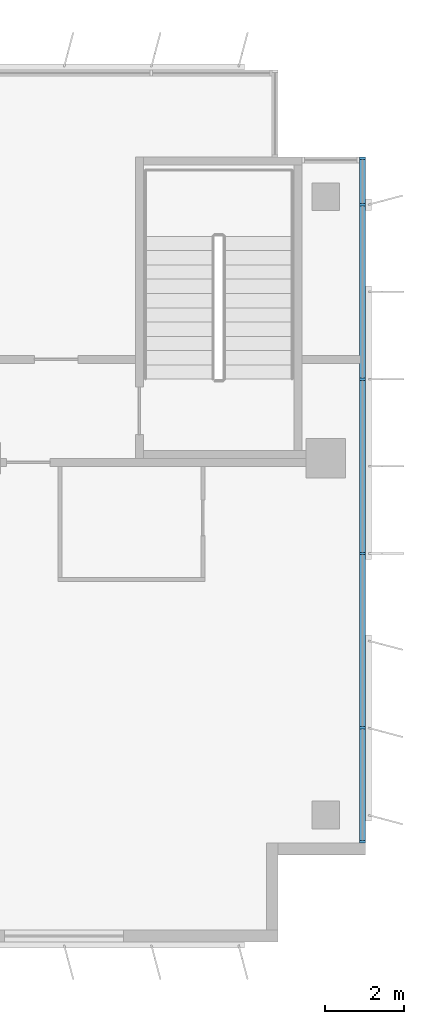
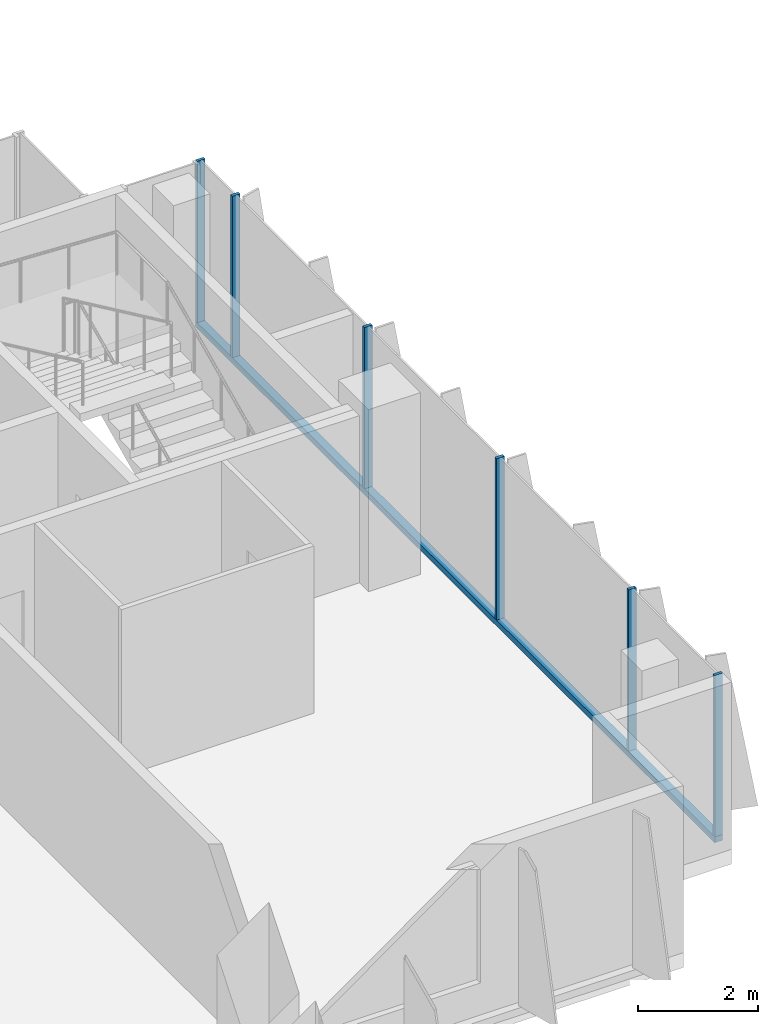
# One storey, part 8 of 21: 7 members, 1 element without a shape of its own.
"""IFC4 building model written with IfcOpenShell, lengths in metres."""

import ifcopenshell
import ifcopenshell.guid

model = None  # the IFC model being written
_history = None  # IfcOwnerHistory: only IFC2X3 demands one
_inside = {}  # id of a spatial element -> (the spatial element, [elements in it])
_under = {}  # id of a project, library or spatial element -> (it, [spatial elements below it])
_declared = {}  # id of a project -> (the project, [libraries it declares])
_typed = {}  # id of a type object -> (the type object, [elements of that type])
_made_of = {}  # id of a material, layer set ... -> (it, [elements and type objects made of it])


def new_model(schema):
    """Start an empty IFC model of exactly this schema.

    Asked for "IFC4X3", IfcOpenShell would pick the latest addendum, in which some entities
    have other attributes; the version numbers below select the first issue.
    IFC2X3 requires an IfcOwnerHistory on every rooted entity: one is made here for all.
    """
    global model, _history
    if schema == "IFC4X3":
        model = ifcopenshell.file(schema_version=(4, 3, 0, 0))
    else:
        model = ifcopenshell.file(schema=schema)
    _inside.clear()
    _under.clear()
    _declared.clear()
    _typed.clear()
    _made_of.clear()
    _history = None
    if model.schema == "IFC2X3":
        org = make("IfcOrganization", Name="unknown")
        user = make(
            "IfcPersonAndOrganization",
            ThePerson=make("IfcPerson", FamilyName="unknown"),
            TheOrganization=org,
        )
        app = make(
            "IfcApplication",
            ApplicationDeveloper=org,
            Version="unknown",
            ApplicationFullName="unknown",
            ApplicationIdentifier="unknown",
        )
        _history = make(
            "IfcOwnerHistory",
            OwningUser=user,
            OwningApplication=app,
            ChangeAction="ADDED",
            CreationDate=0,
        )
    return model


def make(cls, **values):
    """One entity of the class cls with the attributes given. An attribute that is None is left unset."""
    return model.create_entity(
        cls, **{name: value for name, value in values.items() if value is not None}
    )


def rooted(cls, **values):
    """An entity with a GlobalId (a new one), such as an element, a storey or a relation."""
    return make(cls, GlobalId=ifcopenshell.guid.new(), OwnerHistory=_history, **values)


def si_unit(unit_type, name, prefix=None):
    """IfcSIUnit, for example si_unit("LENGTHUNIT", "METRE", prefix="MILLI")."""
    return make("IfcSIUnit", UnitType=unit_type, Prefix=prefix, Name=name)


def assignment(units):
    """IfcUnitAssignment: the units of a project."""
    return None if units is None else make("IfcUnitAssignment", Units=units)


def point(xyz):
    """IfcCartesianPoint."""
    return None if xyz is None else make("IfcCartesianPoint", Coordinates=xyz)


def direction(xyz):
    """IfcDirection."""
    return None if xyz is None else make("IfcDirection", DirectionRatios=xyz)


def frame(location, z_axis=None, x_axis=None):
    """IfcAxis2Placement3D, a coordinate frame: its origin and axes. An axis left out is left unset."""
    return make(
        "IfcAxis2Placement3D",
        Location=point(location),
        Axis=direction(z_axis),
        RefDirection=direction(x_axis),
    )


def frame_2d(location, x_axis=None):
    """IfcAxis2Placement2D, a coordinate frame in the plane: its origin and x axis."""
    return make(
        "IfcAxis2Placement2D", Location=point(location), RefDirection=direction(x_axis)
    )


def origin():
    """The frame at (0, 0, 0) with its axes left unset."""
    return frame((0.0, 0.0, 0.0))


def origin_2d():
    """The frame at (0, 0) in the plane with its x axis left unset."""
    return frame_2d((0.0, 0.0))


def place(relative_to, where):
    """IfcLocalPlacement: puts the frame where relative to a parent placement (None: the world)."""
    return make(
        "IfcLocalPlacement", PlacementRelTo=relative_to, RelativePlacement=where
    )


def context(
    kind, dimensions, precision=None, world=None, true_north=None, identifier=None
):
    """IfcGeometricRepresentationContext, for example the 3D "Model" context."""
    return make(
        "IfcGeometricRepresentationContext",
        ContextIdentifier=identifier,
        ContextType=kind,
        CoordinateSpaceDimension=dimensions,
        Precision=precision,
        WorldCoordinateSystem=world,
        TrueNorth=true_north,
    )


def subcontext(parent, identifier, kind, view, scale=None):
    """IfcGeometricRepresentationSubContext, for example "Body" below "Model"."""
    return make(
        "IfcGeometricRepresentationSubContext",
        ContextIdentifier=identifier,
        ContextType=kind,
        ParentContext=parent,
        TargetScale=scale,
        TargetView=view,
    )


def project(units=None, contexts=None):
    """IfcProject with its units and contexts."""
    return rooted(
        "IfcProject",
        Name="project",
        RepresentationContexts=contexts,
        UnitsInContext=assignment(units),
    )


def spatial(cls, under=None, at=None, **own):
    """A site, building, storey or space (cls), placed at a placement, below another one or the project."""
    s = rooted(cls, ObjectPlacement=at, **own)
    if under is not None:
        _under.setdefault(under.id(), (under, []))[1].append(s)
    return s


def profile(cls, at=None, kind="AREA", **sizes):
    """A parametric profile (cls). Its sizes go by their IFC names, for example OverallWidth=200.0."""
    return make(cls, ProfileType=kind, Position=at, **sizes)


def rectangle(**sizes):
    """IfcRectangleProfileDef."""
    return profile("IfcRectangleProfileDef", **sizes)


def extrude(swept, where, along, depth):
    """IfcExtrudedAreaSolid: the profile swept, set in the frame where, extruded along a direction by depth."""
    return make(
        "IfcExtrudedAreaSolid",
        SweptArea=swept,
        Position=where,
        ExtrudedDirection=direction(along),
        Depth=depth,
    )


def shape(context_of_items, identifier, shape_type, items):
    """IfcShapeRepresentation: the items that make up one representation, for example the "Body"."""
    return make(
        "IfcShapeRepresentation",
        ContextOfItems=context_of_items,
        RepresentationIdentifier=identifier,
        RepresentationType=shape_type,
        Items=items,
    )


def source(mapping_origin, context_of_items, identifier, shape_type, items):
    """IfcRepresentationMap: a shape defined once, which mapped items show again and again."""
    return make(
        "IfcRepresentationMap",
        MappingOrigin=mapping_origin,
        MappedRepresentation=shape(context_of_items, identifier, shape_type, items),
    )


def transform(
    local_origin,
    x_axis=None,
    y_axis=None,
    z_axis=None,
    scale=None,
    scale2=None,
    scale3=None,
    uniform=True,
):
    """IfcCartesianTransformationOperator3D, or its non-uniform kind. x_axis, y_axis, z_axis: its Axis1, 2, 3."""
    if uniform:
        return make(
            "IfcCartesianTransformationOperator3D",
            Axis1=direction(x_axis),
            Axis2=direction(y_axis),
            LocalOrigin=point(local_origin),
            Scale=scale,
            Axis3=direction(z_axis),
        )
    return make(
        "IfcCartesianTransformationOperator3DnonUniform",
        Axis1=direction(x_axis),
        Axis2=direction(y_axis),
        LocalOrigin=point(local_origin),
        Scale=scale,
        Axis3=direction(z_axis),
        Scale2=scale2,
        Scale3=scale3,
    )


def mapped(mapping_source, mapping_target):
    """IfcMappedItem: shows the shape of a source again, moved by a transform."""
    return make(
        "IfcMappedItem", MappingSource=mapping_source, MappingTarget=mapping_target
    )


def material(Name=None, Category=None):
    """IfcMaterial."""
    return make("IfcMaterial", Name=Name, Category=Category)


def material_profile(
    of_material, cross_section, Name=None, Category=None, Priority=None
):
    """IfcMaterialProfile: a cross section and its material."""
    return make(
        "IfcMaterialProfile",
        Name=Name,
        Material=of_material,
        Profile=cross_section,
        Priority=Priority,
        Category=Category,
    )


def profile_set(profiles, Name=None, composite=None):
    """IfcMaterialProfileSet."""
    return make(
        "IfcMaterialProfileSet",
        Name=Name,
        MaterialProfiles=profiles,
        CompositeProfile=composite,
    )


def made_of(thing, what):
    """Note that an element or type object is made of a material, layer set ...; save() writes the relation."""
    if what is not None:
        _made_of.setdefault(what.id(), (what, []))[1].append(thing)
    return thing


def type_object(cls, material=None, **own):
    """A type object (cls), such as IfcWallType, which elements share."""
    return made_of(rooted(cls, **own), material)


def element(
    cls,
    number,
    at=None,
    inside=None,
    cuts=None,
    type_object=None,
    material=None,
    context=None,
    identifier="Body",
    shape_type=None,
    held_by="IfcProductDefinitionShape",
    body=None,
    shapes=None,
    **own,
):
    """One element of the class cls, such as IfcWall. Its Tag is "e" and its number.

    at: its placement. inside: the storey or other place that contains it. cuts: it is an
    opening in that element (IfcRelVoidsElement). A single representation is given by context,
    identifier, shape_type and body (its items); several are given by shapes. held_by: the class
    of the entity that holds the representations. save() writes the other relations.
    """
    e = rooted(cls, Tag="e%d" % number, ObjectPlacement=at, **own)
    if body is not None:
        shapes = [shape(context, identifier, shape_type, body)]
    if shapes is not None:
        e.Representation = make(held_by, Representations=shapes)
    if inside is not None:
        _inside.setdefault(inside.id(), (inside, []))[1].append(e)
    if cuts is not None:
        rooted(
            "IfcRelVoidsElement", RelatingBuildingElement=cuts, RelatedOpeningElement=e
        )
    if type_object is not None:
        _typed.setdefault(type_object.id(), (type_object, []))[1].append(e)
    return made_of(e, material)


def aggregate(whole, parts):
    """IfcRelAggregates: a whole, such as a stair, and the parts it consists of."""
    return rooted("IfcRelAggregates", RelatingObject=whole, RelatedObjects=parts)


def save(model, path):
    """Write the relations noted so far, then the file.

    IfcRelAggregates (storeys below a building ...), IfcRelContainedInSpatialStructure (elements
    in a storey), IfcRelDefinesByType, IfcRelAssociatesMaterial and IfcRelDeclares: one each for
    every whole, place, type object, material and project.
    """
    for whole, parts in _under.values():
        aggregate(whole, parts)
    for where, things in _inside.values():
        rooted(
            "IfcRelContainedInSpatialStructure",
            RelatedElements=things,
            RelatingStructure=where,
        )
    for kind, things in _typed.values():
        rooted("IfcRelDefinesByType", RelatedObjects=things, RelatingType=kind)
    for what, things in _made_of.values():
        rooted("IfcRelAssociatesMaterial", RelatedObjects=things, RelatingMaterial=what)
    for by, libraries in _declared.values():
        rooted("IfcRelDeclares", RelatingContext=by, RelatedDefinitions=libraries)
    model.write(path)


model = new_model("IFC4")

# Units and contexts
model_context = context("Model", 3, precision=1e-05, world=origin(), true_north=direction((0.0, 1.0)))
body_context = subcontext(model_context, "Body", "Model", "MODEL_VIEW")
ifc_project = project(units=[si_unit("LENGTHUNIT", "METRE"), si_unit("AREAUNIT", "SQUARE_METRE"), si_unit("VOLUMEUNIT", "CUBIC_METRE"), si_unit("PLANEANGLEUNIT", "RADIAN"), si_unit("MASSUNIT", "GRAM", prefix="KILO")], contexts=[model_context])

# Site, building, storey
site_placement = place(None, origin())
site = spatial("IfcSite", under=ifc_project, at=site_placement, CompositionType="ELEMENT")
building_placement = place(site_placement, origin())
building = spatial("IfcBuilding", under=site, at=building_placement, Name="Kemantara Hotel Tower", CompositionType="ELEMENT")
storey_placement = place(building_placement, frame((0.0, 0.0, 156.800048828125)))
storey = spatial("IfcBuildingStorey", under=building, at=storey_placement, Name="L38", CompositionType="ELEMENT", Elevation=156.800048828125)

# Curtain wall, members
ifc_material_1 = material(Name="Low-E tinted double insulated glass 36 mm", Category="glass")
curtain_wall_type = type_object("IfcCurtainWallType", Name="TOWER CURTAIN WALL, FRONT FACES", PredefinedType="USERDEFINED", material=ifc_material_1)
curtain_wall_placement = place(storey_placement, origin())
curtain_wall = element("IfcCurtainWall", 1, at=curtain_wall_placement, inside=storey, type_object=curtain_wall_type, Name="CW4 L38 T3-R11-1", ObjectType="TOWER CURTAIN WALL, FRONT FACES", PredefinedType="USERDEFINED")
ifc_material_2 = material(Name="Aluminium 6063-T6 bronze anodised", Category="aluminium")
ifc_material_profile_1 = material_profile(ifc_material_2, rectangle(XDim=0.14990234375, YDim=0.1201171875, at=origin_2d()), Name="TOWER CURTAIN WALL, FRONT FACES TRANSOM")
ifc_profile_set_1 = profile_set([ifc_material_profile_1], Name="Aluminium 6063-T6 bronze anodised")
member_type_1 = type_object("IfcMemberType", Name="TOWER CURTAIN WALL, FRONT FACES TRANSOM", PredefinedType="USERDEFINED", material=ifc_profile_set_1)
member_1_placement = place(storey_placement, frame((63.52490234375, 2.5, 0.06005859375), z_axis=(0.0, 1.0, 0.0), x_axis=(-1.0, 0.0, 0.0)))
member_1 = element("IfcMember", 2, at=member_1_placement, type_object=member_type_1, Name="CW4 sill transom T3-R11-1", ObjectType="TRANSOM", PredefinedType="USERDEFINED", context=body_context, shape_type="SweptSolid", body=[
    extrude(rectangle(XDim=0.14990234375, YDim=0.1201171875, at=origin_2d()), origin(), (0.0, 0.0, 1.0), 17.300048828125),
])
ifc_material_profile_2 = material_profile(ifc_material_2, rectangle(XDim=0.14990234375, YDim=0.06005859375, at=origin_2d()), Name="TOWER CURTAIN WALL, FRONT FACES MULLION")
ifc_profile_set_2 = profile_set([ifc_material_profile_2], Name="Aluminium 6063-T6 bronze anodised")
member_type_2 = type_object("IfcMemberType", Name="TOWER CURTAIN WALL, FRONT FACES MULLION", PredefinedType="MULLION", material=ifc_profile_set_2)
shared_shape = source(origin(), body_context, "Body", "SweptSolid", [
    extrude(rectangle(XDim=0.14990234375, YDim=0.06005859375, at=origin_2d()), origin(), (0.0, 0.0, 1.0), 3.280029296875),
])
member_2_placement = place(storey_placement, frame((63.52490234375, 2.530029296875, 0.119873046875), z_axis=(0.0, 0.0, 1.0), x_axis=(-1.0, 0.0, 0.0)))
member_2 = element("IfcMember", 3, at=member_2_placement, type_object=member_type_2, Name="CW4 mullion T3-R11-1.1", PredefinedType="MULLION", context=body_context, shape_type="MappedRepresentation", body=[
    mapped(shared_shape, transform((0.0, 0.0, 0.0))),
])
member_3_placement = place(storey_placement, frame((63.52490234375, 5.39990234375, 0.119873046875), z_axis=(0.0, 0.0, 1.0), x_axis=(-1.0, 0.0, 0.0)))
member_3 = element("IfcMember", 4, at=member_3_placement, type_object=member_type_2, Name="CW4 mullion T3-R11-1.2", PredefinedType="MULLION", context=body_context, shape_type="MappedRepresentation", body=[
    mapped(shared_shape, transform((0.0, 0.0, 0.0))),
])
member_4_placement = place(storey_placement, frame((63.52490234375, 9.800048828125, 0.119873046875), z_axis=(0.0, 0.0, 1.0), x_axis=(-1.0, 0.0, 0.0)))
member_4 = element("IfcMember", 5, at=member_4_placement, type_object=member_type_2, Name="CW4 mullion T3-R11-1.3", PredefinedType="MULLION", context=body_context, shape_type="MappedRepresentation", body=[
    mapped(shared_shape, transform((0.0, 0.0, 0.0))),
])
member_5_placement = place(storey_placement, frame((63.52490234375, 14.199951171875, 0.119873046875), z_axis=(0.0, 0.0, 1.0), x_axis=(-1.0, 0.0, 0.0)))
member_5 = element("IfcMember", 6, at=member_5_placement, type_object=member_type_2, Name="CW4 mullion T3-R11-1.4", PredefinedType="MULLION", context=body_context, shape_type="MappedRepresentation", body=[
    mapped(shared_shape, transform((0.0, 0.0, 0.0))),
])
member_6_placement = place(storey_placement, frame((63.52490234375, 18.60009765625, 0.119873046875), z_axis=(0.0, 0.0, 1.0), x_axis=(-1.0, 0.0, 0.0)))
member_6 = element("IfcMember", 7, at=member_6_placement, type_object=member_type_2, Name="CW4 mullion T3-R11-1.5", PredefinedType="MULLION", context=body_context, shape_type="MappedRepresentation", body=[
    mapped(shared_shape, transform((0.0, 0.0, 0.0))),
])
member_7_placement = place(storey_placement, frame((63.52490234375, 19.77001953125, 0.119873046875), z_axis=(0.0, 0.0, 1.0), x_axis=(-1.0, 0.0, 0.0)))
member_7 = element("IfcMember", 8, at=member_7_placement, type_object=member_type_2, Name="CW4 mullion T3-R11-1.6", PredefinedType="MULLION", context=body_context, shape_type="MappedRepresentation", body=[
    mapped(shared_shape, transform((0.0, 0.0, 0.0))),
])
aggregate(curtain_wall, [member_1, member_2, member_3, member_4, member_5, member_6, member_7])

save(model, "model.ifc")
